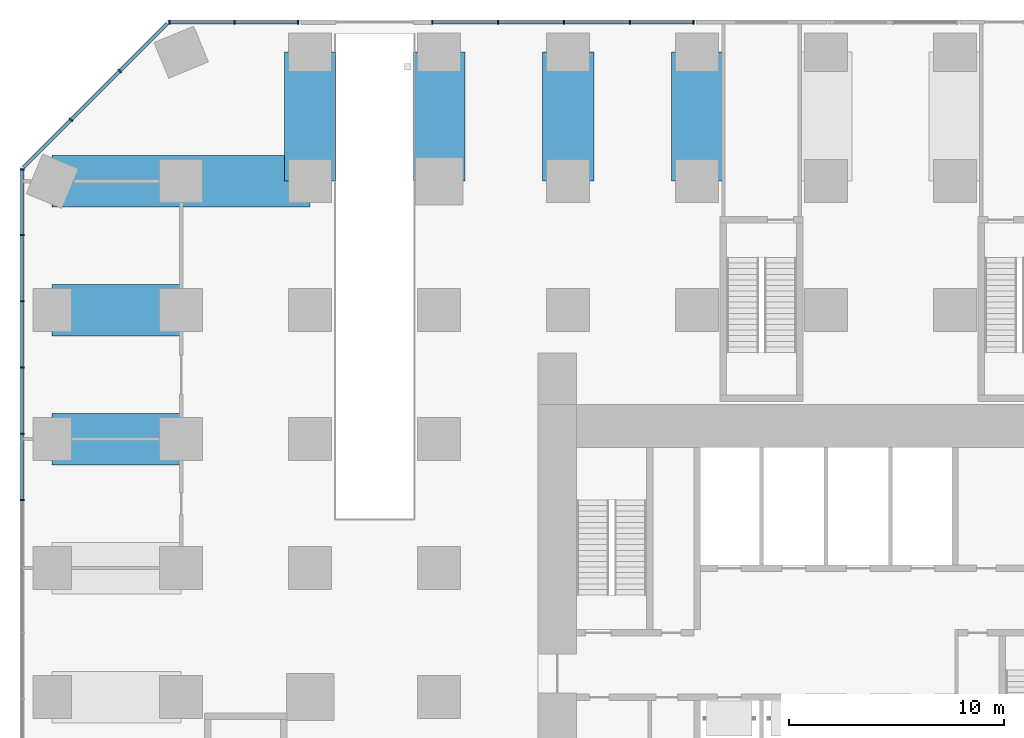
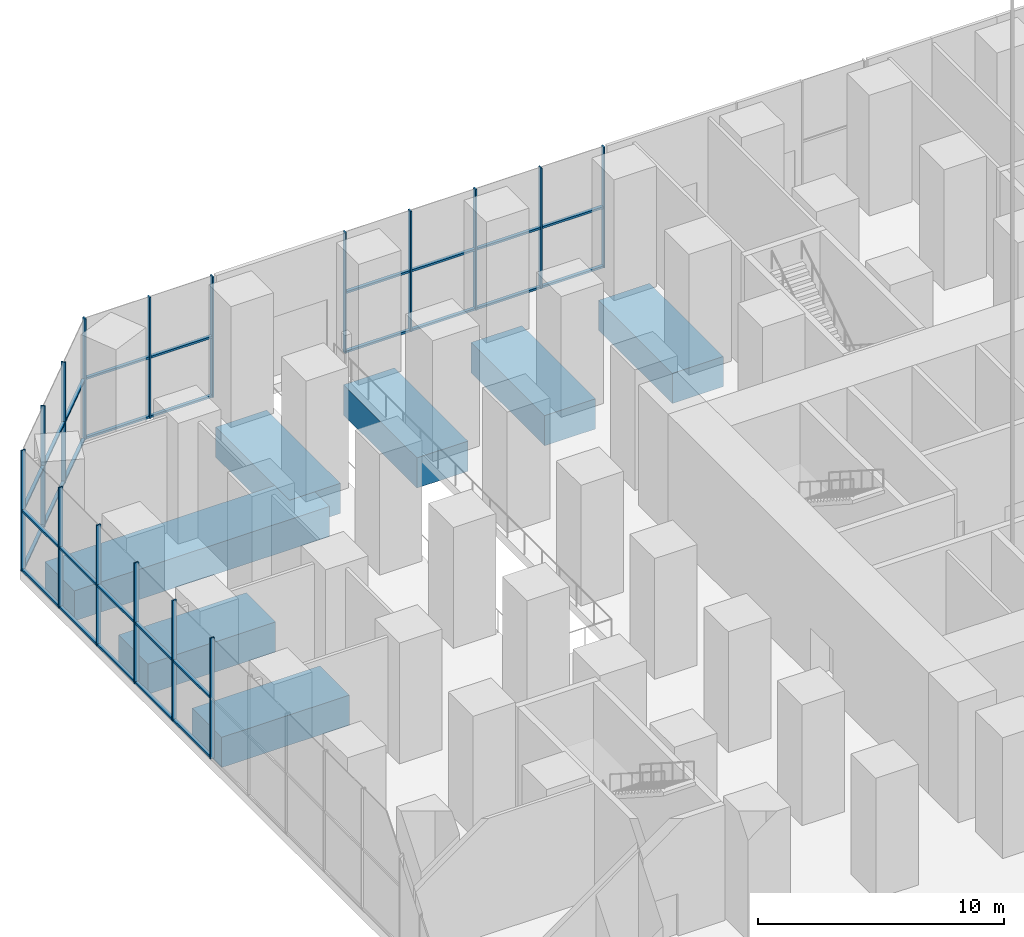
# One storey, part 6 of 21: 44 members, 7 beams, 4 elements without a shape of their own.
"""IFC4 building model written with IfcOpenShell, lengths in metres."""

from ifc_helpers import new_model, si_unit, direction, frame, origin, origin_2d, place, context, subcontext, project, spatial, rectangle, extrude, material, layer, layer_set, material_profile, profile_set, type_object, element, aggregate, save


model = new_model("IFC4")

# Units and contexts
model_context = context("Model", 3, precision=1e-05, world=origin(), true_north=direction((0.0, 1.0)))
body_context = subcontext(model_context, "Body", "Model", "MODEL_VIEW")
ifc_project = project(units=[si_unit("LENGTHUNIT", "METRE"), si_unit("AREAUNIT", "SQUARE_METRE"), si_unit("VOLUMEUNIT", "CUBIC_METRE"), si_unit("PLANEANGLEUNIT", "RADIAN"), si_unit("MASSUNIT", "GRAM", prefix="KILO")], contexts=[model_context])

# Site, building, storey
site_placement = place(None, origin())
site = spatial("IfcSite", under=ifc_project, at=site_placement, CompositionType="ELEMENT")
building_placement = place(site_placement, origin())
building = spatial("IfcBuilding", under=site, at=building_placement, Name="Highveld Stack Headquarters", CompositionType="ELEMENT")
storey_placement = place(building_placement, origin())
storey = spatial("IfcBuildingStorey", under=building, at=storey_placement, Name="L00", CompositionType="ELEMENT", Elevation=0.0)

# Curtain wall, members
ifc_material_1 = material(Name="Aluminium bronze anodised", Category="aluminium")
ifc_layer = layer(ifc_material_1, 0.199951171875)
ifc_layer_set = layer_set([ifc_layer], Name="Aluminium bronze anodised")
curtain_wall_type = type_object("IfcCurtainWallType", Name="CW3 PODIUM STICK CURTAIN WALL", PredefinedType="NOTDEFINED", material=ifc_layer_set)
curtain_wall_1_placement = place(storey_placement, origin())
curtain_wall_1 = element("IfcCurtainWall", 1, at=curtain_wall_1_placement, inside=storey, type_object=curtain_wall_type, Name="Curtain wall CW3 L00 N-3", PredefinedType="NOTDEFINED")
ifc_material_2 = material(Name="Aluminium bronze anodised", Category="aluminium")
ifc_material_profile_1 = material_profile(ifc_material_2, rectangle(XDim=0.199951171875, YDim=0.06494140625, at=origin_2d()), Name="CW3 MULLION 65x200")
ifc_profile_set_1 = profile_set([ifc_material_profile_1], Name="Aluminium bronze anodised")
member_type_1 = type_object("IfcMemberType", Name="CW3 MULLION 65x200", PredefinedType="MULLION", material=ifc_profile_set_1)
member_1_placement = place(storey_placement, frame((-0.171875, 31.39990234375, 0.0), z_axis=(0.0, 0.0, 1.0), x_axis=(0.0, -1.0, 0.0)))
member_1 = element("IfcMember", 2, at=member_1_placement, type_object=member_type_1, Name="CW3 mullion L00 1", PredefinedType="MULLION", context=body_context, shape_type="SweptSolid", body=[
    extrude(rectangle(XDim=0.199951171875, YDim=0.06494140625, at=origin_2d()), origin(), (0.0, 0.0, 1.0), 6.0),
])
member_2_placement = place(storey_placement, frame((-3.12890625, 31.39990234375, 0.0), z_axis=(0.0, 0.0, 1.0), x_axis=(0.0, -1.0, 0.0)))
member_2 = element("IfcMember", 3, at=member_2_placement, type_object=member_type_1, Name="CW3 mullion L00 2", PredefinedType="MULLION", context=body_context, shape_type="SweptSolid", body=[
    extrude(rectangle(XDim=0.199951171875, YDim=0.06494140625, at=origin_2d()), origin(), (0.0, 0.0, 1.0), 6.0),
])
member_3_placement = place(storey_placement, frame((-6.193359375, 31.39990234375, 0.0), z_axis=(0.0, 0.0, 1.0), x_axis=(0.0, -1.0, 0.0)))
member_3 = element("IfcMember", 4, at=member_3_placement, type_object=member_type_1, Name="CW3 mullion L00 3", PredefinedType="MULLION", context=body_context, shape_type="SweptSolid", body=[
    extrude(rectangle(XDim=0.199951171875, YDim=0.06494140625, at=origin_2d()), origin(), (0.0, 0.0, 1.0), 6.0),
])
member_4_placement = place(storey_placement, frame((-9.2578125, 31.39990234375, 0.0), z_axis=(0.0, 0.0, 1.0), x_axis=(0.0, -1.0, 0.0)))
member_4 = element("IfcMember", 5, at=member_4_placement, type_object=member_type_1, Name="CW3 mullion L00 4", PredefinedType="MULLION", context=body_context, shape_type="SweptSolid", body=[
    extrude(rectangle(XDim=0.199951171875, YDim=0.06494140625, at=origin_2d()), origin(), (0.0, 0.0, 1.0), 6.0),
])
member_5_placement = place(storey_placement, frame((-12.322265625, 31.39990234375, 0.0), z_axis=(0.0, 0.0, 1.0), x_axis=(0.0, -1.0, 0.0)))
member_5 = element("IfcMember", 6, at=member_5_placement, type_object=member_type_1, Name="CW3 mullion L00 5", PredefinedType="MULLION", context=body_context, shape_type="SweptSolid", body=[
    extrude(rectangle(XDim=0.199951171875, YDim=0.06494140625, at=origin_2d()), origin(), (0.0, 0.0, 1.0), 6.0),
])

curtain_wall_2_placement = place(storey_placement, origin())
curtain_wall_2 = element("IfcCurtainWall", 7, at=curtain_wall_2_placement, inside=storey, type_object=curtain_wall_type, Name="Curtain wall CW3 L00 N-4", PredefinedType="NOTDEFINED")
member_6_placement = place(storey_placement, frame((-18.55859375, 31.39990234375, 0.0), z_axis=(0.0, 0.0, 1.0), x_axis=(0.0, -1.0, 0.0)))
member_6 = element("IfcMember", 8, at=member_6_placement, type_object=member_type_1, Name="CW3 mullion L00 1", PredefinedType="MULLION", context=body_context, shape_type="SweptSolid", body=[
    extrude(rectangle(XDim=0.199951171875, YDim=0.06494140625, at=origin_2d()), origin(), (0.0, 0.0, 1.0), 6.0),
])
member_7_placement = place(storey_placement, frame((-21.515380859375, 31.39990234375, 0.0), z_axis=(0.0, 0.0, 1.0), x_axis=(0.0, -1.0, 0.0)))
member_7 = element("IfcMember", 9, at=member_7_placement, type_object=member_type_1, Name="CW3 mullion L00 2", PredefinedType="MULLION", context=body_context, shape_type="SweptSolid", body=[
    extrude(rectangle(XDim=0.199951171875, YDim=0.06494140625, at=origin_2d()), origin(), (0.0, 0.0, 1.0), 6.0),
])
member_8_placement = place(storey_placement, frame((-24.54736328125, 31.39990234375, 0.0), z_axis=(0.0, 0.0, 1.0), x_axis=(0.0, -1.0, 0.0)))
member_8 = element("IfcMember", 10, at=member_8_placement, type_object=member_type_1, Name="CW3 mullion L00 3", PredefinedType="MULLION", context=body_context, shape_type="SweptSolid", body=[
    extrude(rectangle(XDim=0.199951171875, YDim=0.06494140625, at=origin_2d()), origin(), (0.0, 0.0, 1.0), 6.0),
])

curtain_wall_3_placement = place(storey_placement, origin())
curtain_wall_3 = element("IfcCurtainWall", 11, at=curtain_wall_3_placement, inside=storey, type_object=curtain_wall_type, Name="Curtain wall CW3 L00 NW", PredefinedType="NOTDEFINED")
member_9_placement = place(storey_placement, frame((-26.853271484375, 29.126708984375, 0.0), z_axis=(0.0, 0.0, 1.0), x_axis=(0.707106781187, -0.707106781187, 0.0)))
member_9 = element("IfcMember", 12, at=member_9_placement, type_object=member_type_1, Name="CW3 mullion L00 1", PredefinedType="MULLION", context=body_context, shape_type="SweptSolid", body=[
    extrude(rectangle(XDim=0.199951171875, YDim=0.06494140625, at=origin_2d()), origin(), (0.0, 0.0, 1.0), 6.0),
])
member_10_placement = place(storey_placement, frame((-29.126708984375, 26.853271484375, 0.0), z_axis=(0.0, 0.0, 1.0), x_axis=(0.707106781187, -0.707106781187, 0.0)))
member_10 = element("IfcMember", 13, at=member_10_placement, type_object=member_type_1, Name="CW3 mullion L00 2", PredefinedType="MULLION", context=body_context, shape_type="SweptSolid", body=[
    extrude(rectangle(XDim=0.199951171875, YDim=0.06494140625, at=origin_2d()), origin(), (0.0, 0.0, 1.0), 6.0),
])

curtain_wall_4_placement = place(storey_placement, origin())
curtain_wall_4 = element("IfcCurtainWall", 14, at=curtain_wall_4_placement, inside=storey, type_object=curtain_wall_type, Name="Curtain wall CW3 L00 W", PredefinedType="NOTDEFINED")
member_11_placement = place(storey_placement, frame((-31.39990234375, 24.54736328125, 0.0), z_axis=(0.0, 0.0, 1.0), x_axis=(1.0, 0.0, 0.0)))
member_11 = element("IfcMember", 15, at=member_11_placement, type_object=member_type_1, Name="CW3 mullion L00 1", PredefinedType="MULLION", context=body_context, shape_type="SweptSolid", body=[
    extrude(rectangle(XDim=0.199951171875, YDim=0.06494140625, at=origin_2d()), origin(), (0.0, 0.0, 1.0), 6.0),
])
member_12_placement = place(storey_placement, frame((-31.39990234375, 21.4970703125, 0.0), z_axis=(0.0, 0.0, 1.0), x_axis=(1.0, 0.0, 0.0)))
member_12 = element("IfcMember", 16, at=member_12_placement, type_object=member_type_1, Name="CW3 mullion L00 2", PredefinedType="MULLION", context=body_context, shape_type="SweptSolid", body=[
    extrude(rectangle(XDim=0.199951171875, YDim=0.06494140625, at=origin_2d()), origin(), (0.0, 0.0, 1.0), 6.0),
])
member_13_placement = place(storey_placement, frame((-31.39990234375, 18.414306640625, 0.0), z_axis=(0.0, 0.0, 1.0), x_axis=(1.0, 0.0, 0.0)))
member_13 = element("IfcMember", 17, at=member_13_placement, type_object=member_type_1, Name="CW3 mullion L00 3", PredefinedType="MULLION", context=body_context, shape_type="SweptSolid", body=[
    extrude(rectangle(XDim=0.199951171875, YDim=0.06494140625, at=origin_2d()), origin(), (0.0, 0.0, 1.0), 6.0),
])
member_14_placement = place(storey_placement, frame((-31.39990234375, 15.331298828125, 0.0), z_axis=(0.0, 0.0, 1.0), x_axis=(1.0, 0.0, 0.0)))
member_14 = element("IfcMember", 18, at=member_14_placement, type_object=member_type_1, Name="CW3 mullion L00 4", PredefinedType="MULLION", context=body_context, shape_type="SweptSolid", body=[
    extrude(rectangle(XDim=0.199951171875, YDim=0.06494140625, at=origin_2d()), origin(), (0.0, 0.0, 1.0), 6.0),
])
member_15_placement = place(storey_placement, frame((-31.39990234375, 12.24853515625, 0.0), z_axis=(0.0, 0.0, 1.0), x_axis=(1.0, 0.0, 0.0)))
member_15 = element("IfcMember", 19, at=member_15_placement, type_object=member_type_1, Name="CW3 mullion L00 5", PredefinedType="MULLION", context=body_context, shape_type="SweptSolid", body=[
    extrude(rectangle(XDim=0.199951171875, YDim=0.06494140625, at=origin_2d()), origin(), (0.0, 0.0, 1.0), 6.0),
])
member_16_placement = place(storey_placement, frame((-31.39990234375, 9.165771484375, 0.0), z_axis=(0.0, 0.0, 1.0), x_axis=(1.0, 0.0, 0.0)))
member_16 = element("IfcMember", 20, at=member_16_placement, type_object=member_type_1, Name="CW3 mullion L00 6", PredefinedType="MULLION", context=body_context, shape_type="SweptSolid", body=[
    extrude(rectangle(XDim=0.199951171875, YDim=0.06494140625, at=origin_2d()), origin(), (0.0, 0.0, 1.0), 6.0),
])

# Member
ifc_material_3 = material(Name="Aluminium bronze anodised", Category="aluminium")
ifc_material_profile_2 = material_profile(ifc_material_3, rectangle(XDim=0.14990234375, YDim=0.10009765625, at=origin_2d()), Name="CW3 TRANSOM 150x100")
ifc_profile_set_2 = profile_set([ifc_material_profile_2], Name="Aluminium bronze anodised")
member_type_2 = type_object("IfcMemberType", Name="CW3 STACK TRANSOM 150x100", PredefinedType="USERDEFINED", material=ifc_profile_set_2)
member_17_placement = place(storey_placement, frame((-0.204345703125, 31.39990234375, 0.050048828125), z_axis=(-1.0, 0.0, 0.0), x_axis=(0.0, -1.0, 0.0)))
member_17 = element("IfcMember", 21, at=member_17_placement, type_object=member_type_2, Name="CW3 transom L00 11.1", ObjectType="TRANSOM", PredefinedType="USERDEFINED", context=body_context, shape_type="SweptSolid", body=[
    extrude(rectangle(XDim=0.14990234375, YDim=0.10009765625, at=origin_2d()), origin(), (0.0, 0.0, 1.0), 2.89208984375),
])

member_18_placement = place(storey_placement, frame((-0.204345703125, 31.39990234375, 3.0), z_axis=(-1.0, 0.0, 0.0), x_axis=(0.0, -1.0, 0.0)))
member_18 = element("IfcMember", 22, at=member_18_placement, type_object=member_type_2, Name="CW3 transom L00 11.2", ObjectType="TRANSOM", PredefinedType="USERDEFINED", context=body_context, shape_type="SweptSolid", body=[
    extrude(rectangle(XDim=0.14990234375, YDim=0.10009765625, at=origin_2d()), origin(), (0.0, 0.0, 1.0), 2.89208984375),
])

member_19_placement = place(storey_placement, frame((-3.161376953125, 31.39990234375, 0.050048828125), z_axis=(-1.0, 0.0, 0.0), x_axis=(0.0, -1.0, 0.0)))
member_19 = element("IfcMember", 23, at=member_19_placement, type_object=member_type_2, Name="CW3 transom L00 12.1", ObjectType="TRANSOM", PredefinedType="USERDEFINED", context=body_context, shape_type="SweptSolid", body=[
    extrude(rectangle(XDim=0.14990234375, YDim=0.10009765625, at=origin_2d()), origin(), (0.0, 0.0, 1.0), 2.99951171875),
])

member_20_placement = place(storey_placement, frame((-3.161376953125, 31.39990234375, 3.0), z_axis=(-1.0, 0.0, 0.0), x_axis=(0.0, -1.0, 0.0)))
member_20 = element("IfcMember", 24, at=member_20_placement, type_object=member_type_2, Name="CW3 transom L00 12.2", ObjectType="TRANSOM", PredefinedType="USERDEFINED", context=body_context, shape_type="SweptSolid", body=[
    extrude(rectangle(XDim=0.14990234375, YDim=0.10009765625, at=origin_2d()), origin(), (0.0, 0.0, 1.0), 2.99951171875),
])

member_21_placement = place(storey_placement, frame((-6.225830078125, 31.39990234375, 0.050048828125), z_axis=(-1.0, 0.0, 0.0), x_axis=(0.0, -1.0, 0.0)))
member_21 = element("IfcMember", 25, at=member_21_placement, type_object=member_type_2, Name="CW3 transom L00 13.1", ObjectType="TRANSOM", PredefinedType="USERDEFINED", context=body_context, shape_type="SweptSolid", body=[
    extrude(rectangle(XDim=0.14990234375, YDim=0.10009765625, at=origin_2d()), origin(), (0.0, 0.0, 1.0), 2.999267578125),
])

member_22_placement = place(storey_placement, frame((-6.225830078125, 31.39990234375, 3.0), z_axis=(-1.0, 0.0, 0.0), x_axis=(0.0, -1.0, 0.0)))
member_22 = element("IfcMember", 26, at=member_22_placement, type_object=member_type_2, Name="CW3 transom L00 13.2", ObjectType="TRANSOM", PredefinedType="USERDEFINED", context=body_context, shape_type="SweptSolid", body=[
    extrude(rectangle(XDim=0.14990234375, YDim=0.10009765625, at=origin_2d()), origin(), (0.0, 0.0, 1.0), 2.999267578125),
])

member_23_placement = place(storey_placement, frame((-9.290283203125, 31.39990234375, 0.050048828125), z_axis=(-1.0, 0.0, 0.0), x_axis=(0.0, -1.0, 0.0)))
member_23 = element("IfcMember", 27, at=member_23_placement, type_object=member_type_2, Name="CW3 transom L00 14.1", ObjectType="TRANSOM", PredefinedType="USERDEFINED", context=body_context, shape_type="SweptSolid", body=[
    extrude(rectangle(XDim=0.14990234375, YDim=0.10009765625, at=origin_2d()), origin(), (0.0, 0.0, 1.0), 2.99951171875),
])

member_24_placement = place(storey_placement, frame((-9.290283203125, 31.39990234375, 3.0), z_axis=(-1.0, 0.0, 0.0), x_axis=(0.0, -1.0, 0.0)))
member_24 = element("IfcMember", 28, at=member_24_placement, type_object=member_type_2, Name="CW3 transom L00 14.2", ObjectType="TRANSOM", PredefinedType="USERDEFINED", context=body_context, shape_type="SweptSolid", body=[
    extrude(rectangle(XDim=0.14990234375, YDim=0.10009765625, at=origin_2d()), origin(), (0.0, 0.0, 1.0), 2.99951171875),
])

aggregate(curtain_wall_1, [member_1, member_2, member_3, member_4, member_5, member_17, member_18, member_19, member_20, member_21, member_22, member_23, member_24])

member_25_placement = place(storey_placement, frame((-18.591064453125, 31.39990234375, 0.050048828125), z_axis=(-1.0, 0.0, 0.0), x_axis=(0.0, -1.0, 0.0)))
member_25 = element("IfcMember", 29, at=member_25_placement, type_object=member_type_2, Name="CW3 transom L00 17.1", ObjectType="TRANSOM", PredefinedType="USERDEFINED", context=body_context, shape_type="SweptSolid", body=[
    extrude(rectangle(XDim=0.14990234375, YDim=0.10009765625, at=origin_2d()), origin(), (0.0, 0.0, 1.0), 2.891845703125),
])

member_26_placement = place(storey_placement, frame((-18.591064453125, 31.39990234375, 3.0), z_axis=(-1.0, 0.0, 0.0), x_axis=(0.0, -1.0, 0.0)))
member_26 = element("IfcMember", 30, at=member_26_placement, type_object=member_type_2, Name="CW3 transom L00 17.2", ObjectType="TRANSOM", PredefinedType="USERDEFINED", context=body_context, shape_type="SweptSolid", body=[
    extrude(rectangle(XDim=0.14990234375, YDim=0.10009765625, at=origin_2d()), origin(), (0.0, 0.0, 1.0), 2.891845703125),
])

member_27_placement = place(storey_placement, frame((-21.548095703125, 31.39990234375, 0.050048828125), z_axis=(-1.0, 0.0, 0.0), x_axis=(0.0, -1.0, 0.0)))
member_27 = element("IfcMember", 31, at=member_27_placement, type_object=member_type_2, Name="CW3 transom L00 18.1", ObjectType="TRANSOM", PredefinedType="USERDEFINED", context=body_context, shape_type="SweptSolid", body=[
    extrude(rectangle(XDim=0.14990234375, YDim=0.10009765625, at=origin_2d()), origin(), (0.0, 0.0, 1.0), 2.966796875),
])

member_28_placement = place(storey_placement, frame((-21.548095703125, 31.39990234375, 3.0), z_axis=(-1.0, 0.0, 0.0), x_axis=(0.0, -1.0, 0.0)))
member_28 = element("IfcMember", 32, at=member_28_placement, type_object=member_type_2, Name="CW3 transom L00 18.2", ObjectType="TRANSOM", PredefinedType="USERDEFINED", context=body_context, shape_type="SweptSolid", body=[
    extrude(rectangle(XDim=0.14990234375, YDim=0.10009765625, at=origin_2d()), origin(), (0.0, 0.0, 1.0), 2.966796875),
])

aggregate(curtain_wall_2, [member_6, member_7, member_8, member_25, member_26, member_27, member_28])

member_29_placement = place(storey_placement, frame((-24.650634765625, 31.329345703125, 0.050048828125), z_axis=(-0.707106781187, -0.707106781187, 0.0), x_axis=(0.707106781187, -0.707106781187, 0.0)))
member_29 = element("IfcMember", 33, at=member_29_placement, type_object=member_type_2, Name="CW3 transom L00 1.1", ObjectType="TRANSOM", PredefinedType="USERDEFINED", context=body_context, shape_type="SweptSolid", body=[
    extrude(rectangle(XDim=0.14990234375, YDim=0.10009765625, at=origin_2d()), origin(), (0.0, 0.0, 1.0), 3.08251953125),
])

member_30_placement = place(storey_placement, frame((-24.650634765625, 31.329345703125, 3.0), z_axis=(-0.707106781187, -0.707106781187, 0.0), x_axis=(0.707106781187, -0.707106781187, 0.0)))
member_30 = element("IfcMember", 34, at=member_30_placement, type_object=member_type_2, Name="CW3 transom L00 1.2", ObjectType="TRANSOM", PredefinedType="USERDEFINED", context=body_context, shape_type="SweptSolid", body=[
    extrude(rectangle(XDim=0.14990234375, YDim=0.10009765625, at=origin_2d()), origin(), (0.0, 0.0, 1.0), 3.08251953125),
])

member_31_placement = place(storey_placement, frame((-26.876220703125, 29.103759765625, 0.050048828125), z_axis=(-0.707106781187, -0.707106781187, 0.0), x_axis=(0.707106781187, -0.707106781187, 0.0)))
member_31 = element("IfcMember", 35, at=member_31_placement, type_object=member_type_2, Name="CW3 transom L00 2.1", ObjectType="TRANSOM", PredefinedType="USERDEFINED", context=body_context, shape_type="SweptSolid", body=[
    extrude(rectangle(XDim=0.14990234375, YDim=0.10009765625, at=origin_2d()), origin(), (0.0, 0.0, 1.0), 3.150146484375),
])

member_32_placement = place(storey_placement, frame((-26.876220703125, 29.103759765625, 3.0), z_axis=(-0.707106781187, -0.707106781187, 0.0), x_axis=(0.707106781187, -0.707106781187, 0.0)))
member_32 = element("IfcMember", 36, at=member_32_placement, type_object=member_type_2, Name="CW3 transom L00 2.2", ObjectType="TRANSOM", PredefinedType="USERDEFINED", context=body_context, shape_type="SweptSolid", body=[
    extrude(rectangle(XDim=0.14990234375, YDim=0.10009765625, at=origin_2d()), origin(), (0.0, 0.0, 1.0), 3.150146484375),
])

member_33_placement = place(storey_placement, frame((-29.149658203125, 26.830322265625, 0.050048828125), z_axis=(-0.707106781187, -0.707106781187, 0.0), x_axis=(0.707106781187, -0.707106781187, 0.0)))
member_33 = element("IfcMember", 37, at=member_33_placement, type_object=member_type_2, Name="CW3 transom L00 3.1", ObjectType="TRANSOM", PredefinedType="USERDEFINED", context=body_context, shape_type="SweptSolid", body=[
    extrude(rectangle(XDim=0.14990234375, YDim=0.10009765625, at=origin_2d()), origin(), (0.0, 0.0, 1.0), 3.08251953125),
])

member_34_placement = place(storey_placement, frame((-29.149658203125, 26.830322265625, 3.0), z_axis=(-0.707106781187, -0.707106781187, 0.0), x_axis=(0.707106781187, -0.707106781187, 0.0)))
member_34 = element("IfcMember", 38, at=member_34_placement, type_object=member_type_2, Name="CW3 transom L00 3.2", ObjectType="TRANSOM", PredefinedType="USERDEFINED", context=body_context, shape_type="SweptSolid", body=[
    extrude(rectangle(XDim=0.14990234375, YDim=0.10009765625, at=origin_2d()), origin(), (0.0, 0.0, 1.0), 3.08251953125),
])

aggregate(curtain_wall_3, [member_9, member_10, member_29, member_30, member_31, member_32, member_33, member_34])

member_35_placement = place(storey_placement, frame((-31.39990234375, 24.514892578125, 0.050048828125), z_axis=(0.0, -1.0, 0.0), x_axis=(1.0, 0.0, 0.0)))
member_35 = element("IfcMember", 39, at=member_35_placement, type_object=member_type_2, Name="CW3 transom L00 1.1", ObjectType="TRANSOM", PredefinedType="USERDEFINED", context=body_context, shape_type="SweptSolid", body=[
    extrude(rectangle(XDim=0.14990234375, YDim=0.10009765625, at=origin_2d()), origin(), (0.0, 0.0, 1.0), 2.9853515625),
])

member_36_placement = place(storey_placement, frame((-31.39990234375, 24.514892578125, 3.0), z_axis=(0.0, -1.0, 0.0), x_axis=(1.0, 0.0, 0.0)))
member_36 = element("IfcMember", 40, at=member_36_placement, type_object=member_type_2, Name="CW3 transom L00 1.2", ObjectType="TRANSOM", PredefinedType="USERDEFINED", context=body_context, shape_type="SweptSolid", body=[
    extrude(rectangle(XDim=0.14990234375, YDim=0.10009765625, at=origin_2d()), origin(), (0.0, 0.0, 1.0), 2.9853515625),
])

member_37_placement = place(storey_placement, frame((-31.39990234375, 21.464599609375, 0.050048828125), z_axis=(0.0, -1.0, 0.0), x_axis=(1.0, 0.0, 0.0)))
member_37 = element("IfcMember", 41, at=member_37_placement, type_object=member_type_2, Name="CW3 transom L00 2.1", ObjectType="TRANSOM", PredefinedType="USERDEFINED", context=body_context, shape_type="SweptSolid", body=[
    extrude(rectangle(XDim=0.14990234375, YDim=0.10009765625, at=origin_2d()), origin(), (0.0, 0.0, 1.0), 3.017822265625),
])

member_38_placement = place(storey_placement, frame((-31.39990234375, 21.464599609375, 3.0), z_axis=(0.0, -1.0, 0.0), x_axis=(1.0, 0.0, 0.0)))
member_38 = element("IfcMember", 42, at=member_38_placement, type_object=member_type_2, Name="CW3 transom L00 2.2", ObjectType="TRANSOM", PredefinedType="USERDEFINED", context=body_context, shape_type="SweptSolid", body=[
    extrude(rectangle(XDim=0.14990234375, YDim=0.10009765625, at=origin_2d()), origin(), (0.0, 0.0, 1.0), 3.017822265625),
])

member_39_placement = place(storey_placement, frame((-31.39990234375, 18.381591796875, 0.050048828125), z_axis=(0.0, -1.0, 0.0), x_axis=(1.0, 0.0, 0.0)))
member_39 = element("IfcMember", 43, at=member_39_placement, type_object=member_type_2, Name="CW3 transom L00 3.1", ObjectType="TRANSOM", PredefinedType="USERDEFINED", context=body_context, shape_type="SweptSolid", body=[
    extrude(rectangle(XDim=0.14990234375, YDim=0.10009765625, at=origin_2d()), origin(), (0.0, 0.0, 1.0), 3.017578125),
])

member_40_placement = place(storey_placement, frame((-31.39990234375, 18.381591796875, 3.0), z_axis=(0.0, -1.0, 0.0), x_axis=(1.0, 0.0, 0.0)))
member_40 = element("IfcMember", 44, at=member_40_placement, type_object=member_type_2, Name="CW3 transom L00 3.2", ObjectType="TRANSOM", PredefinedType="USERDEFINED", context=body_context, shape_type="SweptSolid", body=[
    extrude(rectangle(XDim=0.14990234375, YDim=0.10009765625, at=origin_2d()), origin(), (0.0, 0.0, 1.0), 3.017578125),
])

member_41_placement = place(storey_placement, frame((-31.39990234375, 15.298828125, 0.050048828125), z_axis=(0.0, -1.0, 0.0), x_axis=(1.0, 0.0, 0.0)))
member_41 = element("IfcMember", 45, at=member_41_placement, type_object=member_type_2, Name="CW3 transom L00 4.1", ObjectType="TRANSOM", PredefinedType="USERDEFINED", context=body_context, shape_type="SweptSolid", body=[
    extrude(rectangle(XDim=0.14990234375, YDim=0.10009765625, at=origin_2d()), origin(), (0.0, 0.0, 1.0), 3.017822265625),
])

member_42_placement = place(storey_placement, frame((-31.39990234375, 15.298828125, 3.0), z_axis=(0.0, -1.0, 0.0), x_axis=(1.0, 0.0, 0.0)))
member_42 = element("IfcMember", 46, at=member_42_placement, type_object=member_type_2, Name="CW3 transom L00 4.2", ObjectType="TRANSOM", PredefinedType="USERDEFINED", context=body_context, shape_type="SweptSolid", body=[
    extrude(rectangle(XDim=0.14990234375, YDim=0.10009765625, at=origin_2d()), origin(), (0.0, 0.0, 1.0), 3.017822265625),
])

member_43_placement = place(storey_placement, frame((-31.39990234375, 12.216064453125, 0.050048828125), z_axis=(0.0, -1.0, 0.0), x_axis=(1.0, 0.0, 0.0)))
member_43 = element("IfcMember", 47, at=member_43_placement, type_object=member_type_2, Name="CW3 transom L00 5.1", ObjectType="TRANSOM", PredefinedType="USERDEFINED", context=body_context, shape_type="SweptSolid", body=[
    extrude(rectangle(XDim=0.14990234375, YDim=0.10009765625, at=origin_2d()), origin(), (0.0, 0.0, 1.0), 3.017822265625),
])

member_44_placement = place(storey_placement, frame((-31.39990234375, 12.216064453125, 3.0), z_axis=(0.0, -1.0, 0.0), x_axis=(1.0, 0.0, 0.0)))
member_44 = element("IfcMember", 48, at=member_44_placement, type_object=member_type_2, Name="CW3 transom L00 5.2", ObjectType="TRANSOM", PredefinedType="USERDEFINED", context=body_context, shape_type="SweptSolid", body=[
    extrude(rectangle(XDim=0.14990234375, YDim=0.10009765625, at=origin_2d()), origin(), (0.0, 0.0, 1.0), 3.017822265625),
])

aggregate(curtain_wall_4, [member_11, member_12, member_13, member_14, member_15, member_16, member_35, member_36, member_37, member_38, member_39, member_40, member_41, member_42, member_43, member_44])

# Beams
ifc_material_4 = material(Name="Concrete C60/75", Category="concrete")
ifc_material_profile_3 = material_profile(ifc_material_4, rectangle(XDim=2.39990234375, YDim=1.5, at=origin_2d()), Name="RC 2400x1500")
ifc_profile_set_3 = profile_set([ifc_material_profile_3], Name="Concrete C60/75")
beam_type = type_object("IfcBeamType", Name="TRANSFER GIRDER RC 2400x1500 C60/75", PredefinedType="USERDEFINED", material=ifc_profile_set_3)
for number, where, z_axis, x_axis, name in (
    (49, (-24.0, 12.0, -1.199951171875), (-1.0, 0.0, 0.0), (0.0, -1.0, 0.0), "Transfer girder 2/G"),
    (50, (-24.0, 18.0, -1.199951171875), (-1.0, 0.0, 0.0), (0.0, -1.0, 0.0), "Transfer girder 2/H"),
):
    element("IfcBeam", number, at=place(storey_placement, frame(where, z_axis=z_axis, x_axis=x_axis)), inside=storey, type_object=beam_type, Name=name, ObjectType="TRANSFER GIRDER", PredefinedType="USERDEFINED", context=body_context, shape_type="SweptSolid", body=[
        extrude(rectangle(XDim=2.39990234375, YDim=1.5, at=origin_2d()), origin(), (0.0, 0.0, 1.0), 6.0),
    ])
beam_placement = place(storey_placement, frame((-18.0, 24.0, -1.199951171875), z_axis=(-1.0, 0.0, 0.0), x_axis=(0.0, -1.0, 0.0)))
element("IfcBeam", 51, at=beam_placement, inside=storey, type_object=beam_type, Name="Transfer girder 3/J", ObjectType="TRANSFER GIRDER", PredefinedType="USERDEFINED", context=body_context, shape_type="SweptSolid", body=[
    extrude(rectangle(XDim=2.39990234375, YDim=1.5, at=origin_2d()), origin(), (0.0, 0.0, 1.0), 12.0),
])
for number, where, z_axis, x_axis, name in (
    (52, (-18.0, 24.0, -1.199951171875), (0.0, 1.0, 0.0), (-1.0, 0.0, 0.0), "Transfer girder 3/J"),
    (53, (-12.0, 24.0, -1.199951171875), (0.0, 1.0, 0.0), (-1.0, 0.0, 0.0), "Transfer girder 4/J"),
    (54, (-6.0, 24.0, -1.199951171875), (0.0, 1.0, 0.0), (-1.0, 0.0, 0.0), "Transfer girder 5/J"),
    (55, (0.0, 24.0, -1.199951171875), (0.0, 1.0, 0.0), (-1.0, 0.0, 0.0), "Transfer girder 6/J"),
):
    element("IfcBeam", number, at=place(storey_placement, frame(where, z_axis=z_axis, x_axis=x_axis)), inside=storey, type_object=beam_type, Name=name, ObjectType="TRANSFER GIRDER", PredefinedType="USERDEFINED", context=body_context, shape_type="SweptSolid", body=[
        extrude(rectangle(XDim=2.39990234375, YDim=1.5, at=origin_2d()), origin(), (0.0, 0.0, 1.0), 6.0),
    ])

save(model, "model.ifc")
